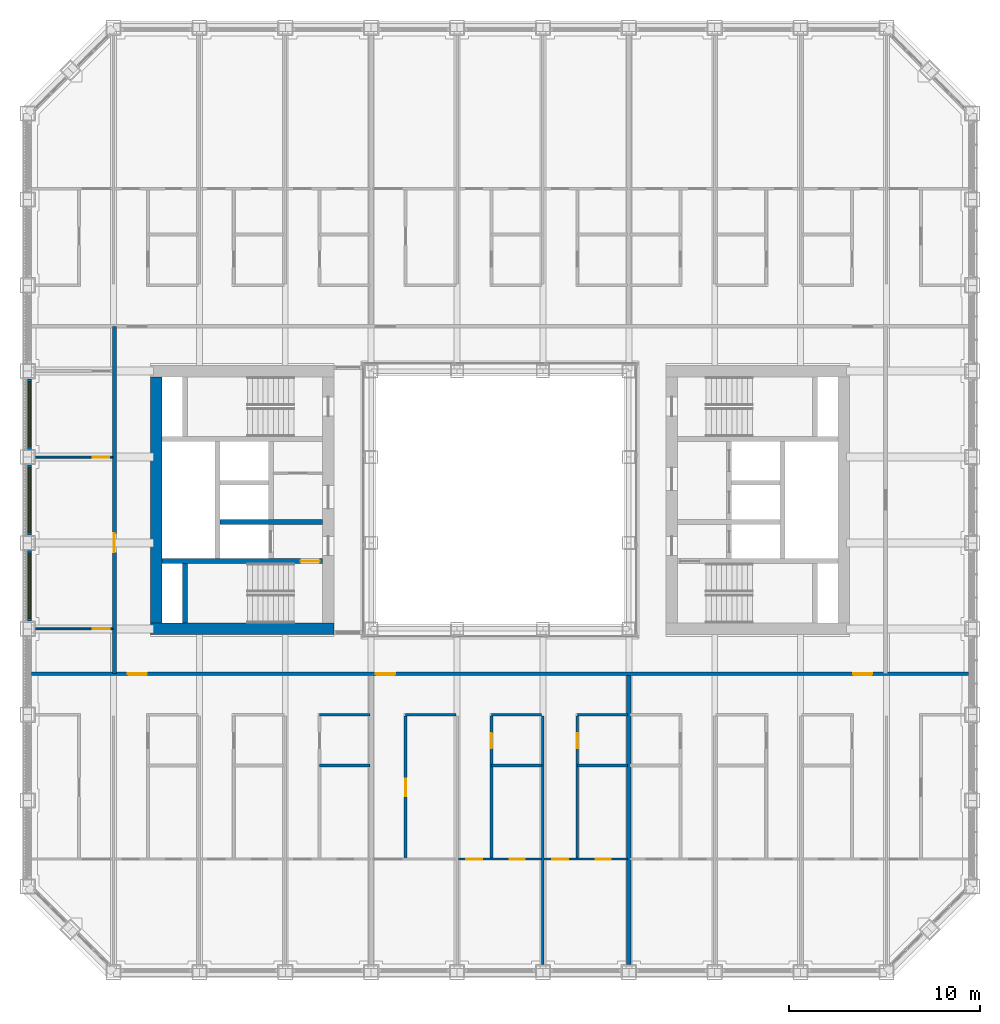
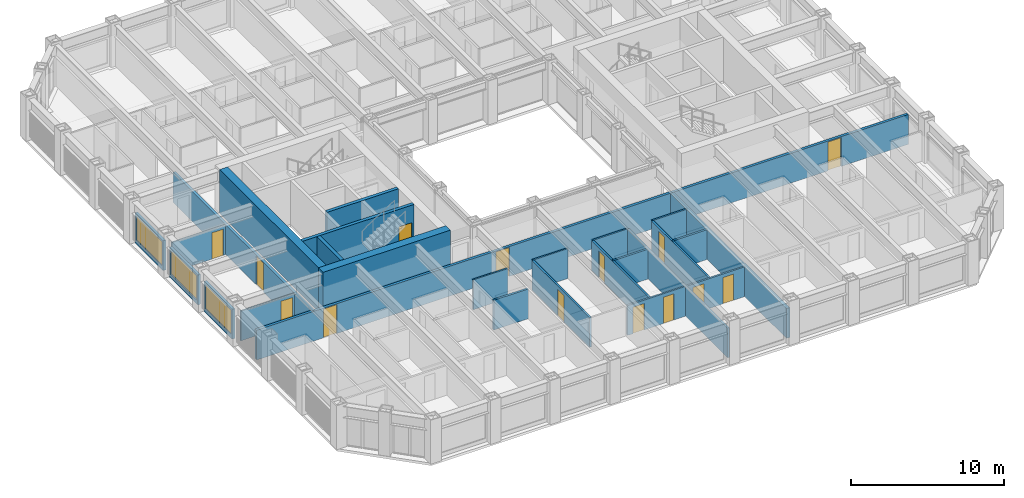
# One storey, part 10 of 21: 26 walls, 14 doors, 3 windows, 17 openings.
"""IFC4 building model written with IfcOpenShell, lengths in metres."""

from ifc_helpers import new_model, si_unit, direction, frame, frame_2d, origin, place, context, subcontext, project, spatial, rectangle, extrude, material, layer, layer_set, type_object, element, fill, save


model = new_model("IFC4")

# Units and contexts
model_context = context("Model", 3, precision=1e-05, world=origin(), true_north=direction((0.0, 1.0)))
body_context = subcontext(model_context, "Body", "Model", "MODEL_VIEW")
ifc_project = project(units=[si_unit("LENGTHUNIT", "METRE"), si_unit("AREAUNIT", "SQUARE_METRE"), si_unit("VOLUMEUNIT", "CUBIC_METRE"), si_unit("PLANEANGLEUNIT", "RADIAN"), si_unit("MASSUNIT", "GRAM", prefix="KILO")], contexts=[model_context])

# Site, building, storey
site_placement = place(None, origin())
site = spatial("IfcSite", under=ifc_project, at=site_placement, CompositionType="ELEMENT")
building_placement = place(site_placement, origin())
building = spatial("IfcBuilding", under=site, at=building_placement, Name="Msasa Ring Tower", CompositionType="ELEMENT")
storey_placement = place(building_placement, frame((0.0, 0.0, 93.0)))
storey = spatial("IfcBuildingStorey", under=building, at=storey_placement, Name="L24", CompositionType="ELEMENT", Elevation=93.0)

# Walls
ifc_material_1 = material(Name="Concrete C60/75", Category="concrete")
ifc_layer_1 = layer(ifc_material_1, 0.60009765625)
ifc_layer_set_1 = layer_set([ifc_layer_1], Name="CW1 CORE WALL 600")
wall_type_1 = type_object("IfcWallType", Name="CW1 CORE WALL 600", PredefinedType="SHEAR", material=ifc_layer_set_1)
wall_1_placement = place(storey_placement, frame((-8.699951171875, -6.75, 0.0), z_axis=(0.0, 0.0, 1.0), x_axis=(-1.0, 0.0, 0.0)))
element("IfcWall", 1, at=wall_1_placement, inside=storey, type_object=wall_type_1, Name="W core wall S L24", PredefinedType="SHEAR", context=body_context, shape_type="SweptSolid", body=[
    extrude(rectangle(XDim=9.60009765625, YDim=0.60009765625, at=frame_2d((4.800048828125, 0.0))), origin(), (0.0, 0.0, 1.0), 3.5),
])
wall_2_placement = place(storey_placement, frame((-18.0, -6.449951171875, 0.0), z_axis=(0.0, 0.0, 1.0), x_axis=(0.0, 1.0, 0.0)))
element("IfcWall", 2, at=wall_2_placement, inside=storey, type_object=wall_type_1, Name="W core wall E L24", PredefinedType="SHEAR", context=body_context, shape_type="SweptSolid", body=[
    extrude(rectangle(XDim=12.89990234375, YDim=0.60009765625, at=frame_2d((6.449951171875, 0.0))), origin(), (0.0, 0.0, 1.0), 3.5),
])

# Wall, opening, door
ifc_material_2 = material(Name="Concrete C60/75", Category="concrete")
ifc_layer_2 = layer(ifc_material_2, 0.25)
ifc_layer_set_2 = layer_set([ifc_layer_2], Name="CW4 CORE INNER WALL 250")
wall_type_2 = type_object("IfcWallType", Name="CW4 CORE INNER WALL 250", PredefinedType="SHEAR", material=ifc_layer_set_2)
wall_3_placement = place(storey_placement, frame((-9.300048828125, -3.199951171875, 0.0), z_axis=(0.0, 0.0, 1.0), x_axis=(-1.0, 0.0, 0.0)))
wall_3 = element("IfcWall", 3, at=wall_3_placement, inside=storey, type_object=wall_type_2, Name="W core wall STAIRA L24", PredefinedType="SHEAR", context=body_context, shape_type="SweptSolid", body=[
    extrude(rectangle(XDim=8.39990234375, YDim=0.25, at=frame_2d((4.199951171875, 0.0))), origin(), (0.0, 0.0, 1.0), 3.5),
])
opening_1_placement = place(wall_3_placement, frame((0.14990234375, 0.0, 0.0)))
opening_1 = element("IfcOpeningElement", 4, at=opening_1_placement, cuts=wall_3, Name="Opening RG-046", PredefinedType="OPENING", context=body_context, shape_type="SweptSolid", body=[
    extrude(rectangle(XDim=1.0, YDim=2.10009765625, at=frame_2d((0.5, 1.050048828125))), frame((0.0, 0.135009765625, 0.0), z_axis=(0.0, -1.0, 0.0), x_axis=(1.0, 0.0, 0.0)), (0.0, 0.0, 1.0), 0.27001953125),
])
ifc_material_3 = material(Name="Timber door leaf in a steel frame", Category="steel")
door_type_1 = type_object("IfcDoorType", Name="D6 STAIR DOOR 1000x2100", OperationType="SINGLE_SWING_LEFT", PredefinedType="DOOR", material=ifc_material_3)
door_1_placement = place(opening_1_placement, origin())
door_1 = element("IfcDoor", 5, at=door_1_placement, inside=storey, type_object=door_type_1, Name="Door L24-WSTA", OperationType="SINGLE_SWING_LEFT", OverallHeight=2.10009765625, OverallWidth=1.0, PredefinedType="DOOR", context=body_context, shape_type="SweptSolid", body=[
    extrude(rectangle(XDim=1.0, YDim=2.10009765625, at=frame_2d((0.5, 1.050048828125))), frame((0.0, 0.02490234375, 0.0), z_axis=(0.0, -1.0, 0.0), x_axis=(1.0, 0.0, 0.0)), (0.0, 0.0, 1.0), 0.050048828125),
])
fill(opening_1, door_1)

# Walls
wall_4_placement = place(storey_placement, frame((-16.5, -6.449951171875, 0.0), z_axis=(0.0, 0.0, 1.0), x_axis=(0.0, 1.0, 0.0)))
element("IfcWall", 6, at=wall_4_placement, inside=storey, type_object=wall_type_2, Name="W core wall RISERA L24", PredefinedType="SHEAR", context=body_context, shape_type="SweptSolid", body=[
    extrude(rectangle(XDim=3.125, YDim=0.25, at=frame_2d((1.5625, 0.0))), origin(), (0.0, 0.0, 1.0), 3.5),
])
wall_5_placement = place(storey_placement, frame((-9.300048828125, -1.14990234375, 0.0), z_axis=(0.0, 0.0, 1.0), x_axis=(-1.0, 0.0, 0.0)))
element("IfcWall", 7, at=wall_5_placement, inside=storey, type_object=wall_type_2, Name="W core wall FFL L24", PredefinedType="SHEAR", context=body_context, shape_type="SweptSolid", body=[
    extrude(rectangle(XDim=5.375, YDim=0.25, at=frame_2d((2.6875, 0.0))), origin(), (0.0, 0.0, 1.0), 3.5),
])

# Wall, opening, window
ifc_material_4 = material(Name="Terracotta rainscreen on blockwork", Category="masonry")
ifc_layer_3 = layer(ifc_material_4, 0.199951171875)
ifc_layer_set_3 = layer_set([ifc_layer_3], Name="FW1 TERRACOTTA-LINED INFILL BAY WALL 200")
wall_type_3 = type_object("IfcWallType", Name="FW1 TERRACOTTA-LINED INFILL BAY WALL 200", PredefinedType="SOLIDWALL", material=ifc_layer_set_3)
wall_6_placement = place(storey_placement, frame((-24.64990234375, -6.344970703125, 0.0), z_axis=(0.0, 0.0, 1.0), x_axis=(0.0, 1.0, 0.0)))
wall_6 = element("IfcWall", 8, at=wall_6_placement, inside=storey, type_object=wall_type_3, Name="Infill bay wall W L24 36", PredefinedType="SOLIDWALL", context=body_context, shape_type="SweptSolid", body=[
    extrude(rectangle(XDim=3.68994140625, YDim=0.199951171875, at=frame_2d((1.844970703125, 0.0))), origin(), (0.0, 0.0, 1.0), 2.37890625),
])
opening_2_placement = place(wall_6_placement, frame((0.14501953125, 0.0, 0.300048828125)))
opening_2 = element("IfcOpeningElement", 9, at=opening_2_placement, cuts=wall_6, Name="Opening WN1", PredefinedType="OPENING", context=body_context, shape_type="SweptSolid", body=[
    extrude(rectangle(XDim=3.39990234375, YDim=1.928955078125, at=frame_2d((1.699951171875, 0.96435546875))), frame((0.0, 0.10986328125, 0.0), z_axis=(0.0, -1.0, 0.0), x_axis=(1.0, 0.0, 0.0)), (0.0, 0.0, 1.0), 0.219970703125),
])
ifc_material_5 = material(Name="Aluminium frame with clear glass", Category="aluminium")
window_type = type_object("IfcWindowType", Name="WN1 RESIDENCE WINDOW 3400x1929", PartitioningType="SINGLE_PANEL", PredefinedType="WINDOW", material=ifc_material_5)
window_1_placement = place(opening_2_placement, origin())
window_1 = element("IfcWindow", 10, at=window_1_placement, inside=storey, type_object=window_type, Name="Window W L24 36", OverallHeight=1.928955078125, OverallWidth=3.39990234375, PartitioningType="SINGLE_PANEL", PredefinedType="WINDOW", context=body_context, shape_type="SweptSolid", body=[
    extrude(rectangle(XDim=3.39990234375, YDim=1.928955078125, at=frame_2d((1.699951171875, 0.96435546875))), frame((0.0, 0.030029296875, 0.0), z_axis=(0.0, -1.0, 0.0), x_axis=(1.0, 0.0, 0.0)), (0.0, 0.0, 1.0), 0.06005859375),
])
fill(opening_2, window_1)

wall_7_placement = place(storey_placement, frame((-24.64990234375, -1.844970703125, 0.0), z_axis=(0.0, 0.0, 1.0), x_axis=(0.0, 1.0, 0.0)))
wall_7 = element("IfcWall", 11, at=wall_7_placement, inside=storey, type_object=wall_type_3, Name="Infill bay wall W L24 37", PredefinedType="SOLIDWALL", context=body_context, shape_type="SweptSolid", body=[
    extrude(rectangle(XDim=3.68994140625, YDim=0.199951171875, at=frame_2d((1.844970703125, 0.0))), origin(), (0.0, 0.0, 1.0), 2.37890625),
])
opening_3_placement = place(wall_7_placement, frame((0.14501953125, 0.0, 0.300048828125)))
opening_3 = element("IfcOpeningElement", 12, at=opening_3_placement, cuts=wall_7, Name="Opening WN1", PredefinedType="OPENING", context=body_context, shape_type="SweptSolid", body=[
    extrude(rectangle(XDim=3.39990234375, YDim=1.928955078125, at=frame_2d((1.699951171875, 0.96435546875))), frame((0.0, 0.10986328125, 0.0), z_axis=(0.0, -1.0, 0.0), x_axis=(1.0, 0.0, 0.0)), (0.0, 0.0, 1.0), 0.219970703125),
])
window_2_placement = place(opening_3_placement, origin())
window_2 = element("IfcWindow", 13, at=window_2_placement, inside=storey, type_object=window_type, Name="Window W L24 37", OverallHeight=1.928955078125, OverallWidth=3.39990234375, PartitioningType="SINGLE_PANEL", PredefinedType="WINDOW", context=body_context, shape_type="SweptSolid", body=[
    extrude(rectangle(XDim=3.39990234375, YDim=1.928955078125, at=frame_2d((1.699951171875, 0.96435546875))), frame((0.0, 0.030029296875, 0.0), z_axis=(0.0, -1.0, 0.0), x_axis=(1.0, 0.0, 0.0)), (0.0, 0.0, 1.0), 0.06005859375),
])
fill(opening_3, window_2)

wall_8_placement = place(storey_placement, frame((-24.64990234375, 2.655029296875, 0.0), z_axis=(0.0, 0.0, 1.0), x_axis=(0.0, 1.0, 0.0)))
wall_8 = element("IfcWall", 14, at=wall_8_placement, inside=storey, type_object=wall_type_3, Name="Infill bay wall W L24 38", PredefinedType="SOLIDWALL", context=body_context, shape_type="SweptSolid", body=[
    extrude(rectangle(XDim=3.68994140625, YDim=0.199951171875, at=frame_2d((1.844970703125, 0.0))), origin(), (0.0, 0.0, 1.0), 2.37890625),
])
opening_4_placement = place(wall_8_placement, frame((0.14501953125, 0.0, 0.300048828125)))
opening_4 = element("IfcOpeningElement", 15, at=opening_4_placement, cuts=wall_8, Name="Opening WN1", PredefinedType="OPENING", context=body_context, shape_type="SweptSolid", body=[
    extrude(rectangle(XDim=3.39990234375, YDim=1.928955078125, at=frame_2d((1.699951171875, 0.96435546875))), frame((0.0, 0.10986328125, 0.0), z_axis=(0.0, -1.0, 0.0), x_axis=(1.0, 0.0, 0.0)), (0.0, 0.0, 1.0), 0.219970703125),
])
window_3_placement = place(opening_4_placement, origin())
window_3 = element("IfcWindow", 16, at=window_3_placement, inside=storey, type_object=window_type, Name="Window W L24 38", OverallHeight=1.928955078125, OverallWidth=3.39990234375, PartitioningType="SINGLE_PANEL", PredefinedType="WINDOW", context=body_context, shape_type="SweptSolid", body=[
    extrude(rectangle(XDim=3.39990234375, YDim=1.928955078125, at=frame_2d((1.699951171875, 0.96435546875))), frame((0.0, 0.030029296875, 0.0), z_axis=(0.0, -1.0, 0.0), x_axis=(1.0, 0.0, 0.0)), (0.0, 0.0, 1.0), 0.06005859375),
])
fill(opening_4, window_3)

# Wall, openings, doors
ifc_material_6 = material(Name="Concrete blockwork", Category="masonry")
ifc_layer_4 = layer(ifc_material_6, 0.199951171875)
ifc_layer_set_4 = layer_set([ifc_layer_4], Name="PT1 CORRIDOR WALL 200")
wall_type_4 = type_object("IfcWallType", Name="PT1 CORRIDOR WALL 200", PredefinedType="PARTITIONING", material=ifc_layer_set_4)
wall_9_placement = place(storey_placement, frame((-24.550048828125, -9.10009765625, 0.0), z_axis=(0.0, 0.0, 1.0), x_axis=(1.0, 0.0, 0.0)))
wall_9 = element("IfcWall", 17, at=wall_9_placement, inside=storey, type_object=wall_type_4, Name="Corridor wall L24-CORRS0", PredefinedType="PARTITIONING", context=body_context, shape_type="SweptSolid", body=[
    extrude(rectangle(XDim=49.10009765625, YDim=0.199951171875, at=frame_2d((24.550048828125, 0.0))), origin(), (0.0, 0.0, 1.0), 2.373291015625),
])
opening_5_placement = place(wall_9_placement, frame((5.050048828125, 0.0, 0.0)))
opening_5 = element("IfcOpeningElement", 18, at=opening_5_placement, cuts=wall_9, Name="Opening RG-050", PredefinedType="OPENING", context=body_context, shape_type="SweptSolid", body=[
    extrude(rectangle(XDim=1.0, YDim=2.300048828125, at=frame_2d((0.5, 1.14990234375))), frame((0.0, 0.10986328125, 0.0), z_axis=(0.0, -1.0, 0.0), x_axis=(1.0, 0.0, 0.0)), (0.0, 0.0, 1.0), 0.219970703125),
])
opening_6_placement = place(wall_9_placement, frame((18.050048828125, 0.0, 0.0)))
opening_6 = element("IfcOpeningElement", 19, at=opening_6_placement, cuts=wall_9, Name="Opening RG-051", PredefinedType="OPENING", context=body_context, shape_type="SweptSolid", body=[
    extrude(rectangle(XDim=1.0, YDim=2.300048828125, at=frame_2d((0.5, 1.14990234375))), frame((0.0, 0.10986328125, 0.0), z_axis=(0.0, -1.0, 0.0), x_axis=(1.0, 0.0, 0.0)), (0.0, 0.0, 1.0), 0.219970703125),
])
opening_7_placement = place(wall_9_placement, frame((43.050048828125, 0.0, 0.0)))
opening_7 = element("IfcOpeningElement", 20, at=opening_7_placement, cuts=wall_9, Name="Opening RG-052", PredefinedType="OPENING", context=body_context, shape_type="SweptSolid", body=[
    extrude(rectangle(XDim=1.0, YDim=2.300048828125, at=frame_2d((0.5, 1.14990234375))), frame((0.0, 0.10986328125, 0.0), z_axis=(0.0, -1.0, 0.0), x_axis=(1.0, 0.0, 0.0)), (0.0, 0.0, 1.0), 0.219970703125),
])
ifc_material_7 = material(Name="Timber door leaf in a steel frame", Category="steel")
door_type_2 = type_object("IfcDoorType", Name="D16 UPPER RESIDENCE ENTRANCE DOOR 1000x2300", OperationType="SINGLE_SWING_LEFT", PredefinedType="DOOR", material=ifc_material_7)
door_2_placement = place(opening_5_placement, origin())
door_2 = element("IfcDoor", 21, at=door_2_placement, inside=storey, type_object=door_type_2, Name="Door L24-US00", OperationType="SINGLE_SWING_LEFT", OverallHeight=2.300048828125, OverallWidth=1.0, PredefinedType="DOOR", context=body_context, shape_type="SweptSolid", body=[
    extrude(rectangle(XDim=1.0, YDim=2.300048828125, at=frame_2d((0.5, 1.14990234375))), frame((0.0, 0.02490234375, 0.0), z_axis=(0.0, -1.0, 0.0), x_axis=(1.0, 0.0, 0.0)), (0.0, 0.0, 1.0), 0.050048828125),
])
fill(opening_5, door_2)
door_3_placement = place(opening_6_placement, origin())
door_3 = element("IfcDoor", 22, at=door_3_placement, inside=storey, type_object=door_type_2, Name="Door L24-US01", OperationType="SINGLE_SWING_LEFT", OverallHeight=2.300048828125, OverallWidth=1.0, PredefinedType="DOOR", context=body_context, shape_type="SweptSolid", body=[
    extrude(rectangle(XDim=1.0, YDim=2.300048828125, at=frame_2d((0.5, 1.14990234375))), frame((0.0, 0.02490234375, 0.0), z_axis=(0.0, -1.0, 0.0), x_axis=(1.0, 0.0, 0.0)), (0.0, 0.0, 1.0), 0.050048828125),
])
fill(opening_6, door_3)
door_4_placement = place(opening_7_placement, origin())
door_4 = element("IfcDoor", 23, at=door_4_placement, inside=storey, type_object=door_type_2, Name="Door L24-US02", OperationType="SINGLE_SWING_RIGHT", OverallHeight=2.300048828125, OverallWidth=1.0, PredefinedType="DOOR", context=body_context, shape_type="SweptSolid", body=[
    extrude(rectangle(XDim=1.0, YDim=2.300048828125, at=frame_2d((0.5, 1.14990234375))), frame((0.0, 0.02490234375, 0.0), z_axis=(0.0, -1.0, 0.0), x_axis=(1.0, 0.0, 0.0)), (0.0, 0.0, 1.0), 0.050048828125),
])
fill(opening_7, door_4)

# Wall, opening, door
wall_10_placement = place(storey_placement, frame((-20.199951171875, -9.10009765625, 0.0), z_axis=(0.0, 0.0, 1.0), x_axis=(0.0, 1.0, 0.0)))
wall_10 = element("IfcWall", 24, at=wall_10_placement, inside=storey, type_object=wall_type_4, Name="Corridor wall L24-STRW", PredefinedType="PARTITIONING", context=body_context, shape_type="SweptSolid", body=[
    extrude(rectangle(XDim=18.2001953125, YDim=0.199951171875, at=frame_2d((9.10009765625, 0.0))), origin(), (0.0, 0.0, 1.0), 2.373291015625),
])
opening_8_placement = place(wall_10_placement, frame((6.35009765625, 0.0, 0.0)))
opening_8 = element("IfcOpeningElement", 25, at=opening_8_placement, cuts=wall_10, Name="Opening RG-043", PredefinedType="OPENING", context=body_context, shape_type="SweptSolid", body=[
    extrude(rectangle(XDim=1.0, YDim=2.300048828125, at=frame_2d((0.5, 1.14990234375))), frame((0.0, 0.10986328125, 0.0), z_axis=(0.0, -1.0, 0.0), x_axis=(1.0, 0.0, 0.0)), (0.0, 0.0, 1.0), 0.219970703125),
])
door_5_placement = place(opening_8_placement, origin())
door_5 = element("IfcDoor", 26, at=door_5_placement, inside=storey, type_object=door_type_2, Name="Door L24-STW", OperationType="SINGLE_SWING_LEFT", OverallHeight=2.300048828125, OverallWidth=1.0, PredefinedType="DOOR", context=body_context, shape_type="SweptSolid", body=[
    extrude(rectangle(XDim=1.0, YDim=2.300048828125, at=frame_2d((0.5, 1.14990234375))), frame((0.0, 0.02490234375, 0.0), z_axis=(0.0, -1.0, 0.0), x_axis=(1.0, 0.0, 0.0)), (0.0, 0.0, 1.0), 0.050048828125),
])
fill(opening_8, door_5)

ifc_material_8 = material(Name="Gypsum board on steel studs", Category="steel")
ifc_layer_5 = layer(ifc_material_8, 0.10009765625)
ifc_layer_set_5 = layer_set([ifc_layer_5], Name="PT2 STUD PARTITION 100")
wall_type_5 = type_object("IfcWallType", Name="PT2 STUD PARTITION 100", PredefinedType="PARTITIONING", material=ifc_layer_set_5)
wall_11_placement = place(storey_placement, frame((-24.35009765625, -6.75, 0.0), z_axis=(0.0, 0.0, 1.0), x_axis=(1.0, 0.0, 0.0)))
wall_11 = element("IfcWall", 27, at=wall_11_placement, inside=storey, type_object=wall_type_5, Name="Partition L24-STWKY", PredefinedType="PARTITIONING", context=body_context, shape_type="SweptSolid", body=[
    extrude(rectangle(XDim=4.050048828125, YDim=0.10009765625, at=frame_2d((2.02490234375, 0.0))), origin(), (0.0, 0.0, 1.0), 2.373291015625),
])
opening_9_placement = place(wall_11_placement, frame((3.0, 0.0, 0.0)))
opening_9 = element("IfcOpeningElement", 28, at=opening_9_placement, cuts=wall_11, Name="Opening RG-048", PredefinedType="OPENING", context=body_context, shape_type="SweptSolid", body=[
    extrude(rectangle(XDim=0.89990234375, YDim=2.10009765625, at=frame_2d((0.449951171875, 1.050048828125))), frame((0.0, 0.06005859375, 0.0), z_axis=(0.0, -1.0, 0.0), x_axis=(1.0, 0.0, 0.0)), (0.0, 0.0, 1.0), 0.1201171875),
])
ifc_material_9 = material(Name="Timber door leaf in a steel frame", Category="steel")
door_type_3 = type_object("IfcDoorType", Name="D22 INTERNAL HALL DOOR 900x2100", OperationType="SINGLE_SWING_LEFT", PredefinedType="DOOR", material=ifc_material_9)
door_6_placement = place(opening_9_placement, origin())
door_6 = element("IfcDoor", 29, at=door_6_placement, inside=storey, type_object=door_type_3, Name="Door L24-STWK", OperationType="SINGLE_SWING_RIGHT", OverallHeight=2.10009765625, OverallWidth=0.89990234375, PredefinedType="DOOR", context=body_context, shape_type="SweptSolid", body=[
    extrude(rectangle(XDim=0.89990234375, YDim=2.10009765625, at=frame_2d((0.449951171875, 1.050048828125))), frame((0.0, 0.02490234375, 0.0), z_axis=(0.0, -1.0, 0.0), x_axis=(1.0, 0.0, 0.0)), (0.0, 0.0, 1.0), 0.050048828125),
])
fill(opening_9, door_6)

wall_12_placement = place(storey_placement, frame((-24.35009765625, 2.25, 0.0), z_axis=(0.0, 0.0, 1.0), x_axis=(1.0, 0.0, 0.0)))
wall_12 = element("IfcWall", 30, at=wall_12_placement, inside=storey, type_object=wall_type_5, Name="Partition L24-STWRY", PredefinedType="PARTITIONING", context=body_context, shape_type="SweptSolid", body=[
    extrude(rectangle(XDim=4.050048828125, YDim=0.10009765625, at=frame_2d((2.02490234375, 0.0))), origin(), (0.0, 0.0, 1.0), 2.373291015625),
])
opening_10_placement = place(wall_12_placement, frame((3.02490234375, 0.0, 0.0)))
opening_10 = element("IfcOpeningElement", 31, at=opening_10_placement, cuts=wall_12, Name="Opening RG-038", PredefinedType="OPENING", context=body_context, shape_type="SweptSolid", body=[
    extrude(rectangle(XDim=0.85009765625, YDim=2.10009765625, at=frame_2d((0.425048828125, 1.050048828125))), frame((0.0, 0.06005859375, 0.0), z_axis=(0.0, -1.0, 0.0), x_axis=(1.0, 0.0, 0.0)), (0.0, 0.0, 1.0), 0.1201171875),
])
ifc_material_10 = material(Name="Timber door leaf in a steel frame", Category="steel")
door_type_4 = type_object("IfcDoorType", Name="D14 BEDROOM DOOR 850x2100", OperationType="SINGLE_SWING_LEFT", PredefinedType="DOOR", material=ifc_material_10)
door_7_placement = place(opening_10_placement, origin())
door_7 = element("IfcDoor", 32, at=door_7_placement, inside=storey, type_object=door_type_4, Name="Door L24-STWR", OperationType="SINGLE_SWING_RIGHT", OverallHeight=2.10009765625, OverallWidth=0.85009765625, PredefinedType="DOOR", context=body_context, shape_type="SweptSolid", body=[
    extrude(rectangle(XDim=0.85009765625, YDim=2.10009765625, at=frame_2d((0.425048828125, 1.050048828125))), frame((0.0, 0.02490234375, 0.0), z_axis=(0.0, -1.0, 0.0), x_axis=(1.0, 0.0, 0.0)), (0.0, 0.0, 1.0), 0.050048828125),
])
fill(opening_10, door_7)

# Walls
ifc_material_11 = material(Name="Dense concrete blockwork, plastered both faces", Category="masonry")
ifc_layer_6 = layer(ifc_material_11, 0.25)
ifc_layer_set_6 = layer_set([ifc_layer_6], Name="PT3 APARTMENT SEPARATING WALL 250")
wall_type_6 = type_object("IfcWallType", Name="PT3 APARTMENT SEPARATING WALL 250", PredefinedType="PARTITIONING", material=ifc_layer_set_6)
wall_13_placement = place(storey_placement, frame((6.75, -24.35009765625, 0.0), z_axis=(0.0, 0.0, 1.0), x_axis=(0.0, 1.0, 0.0)))
element("IfcWall", 33, at=wall_13_placement, inside=storey, type_object=wall_type_6, Name="Party wall L24-PWS+6.75", PredefinedType="PARTITIONING", context=body_context, shape_type="SweptSolid", body=[
    extrude(rectangle(XDim=15.150146484375, YDim=0.25, at=frame_2d((7.5751953125, 0.0))), origin(), (0.0, 0.0, 1.0), 2.373291015625),
])
ifc_material_12 = material(Name="Moisture-resistant board on steel studs with a concealed cistern and pipe void, tiled", Category="steel")
ifc_layer_7 = layer(ifc_material_12, 0.14990234375)
ifc_layer_set_7 = layer_set([ifc_layer_7], Name="PT4 BATHROOM WET WALL 150")
wall_type_7 = type_object("IfcWallType", Name="PT4 BATHROOM WET WALL 150", PredefinedType="PARTITIONING", material=ifc_layer_set_7)
wall_14_placement = place(storey_placement, frame((-9.449951171875, -13.91259765625, 0.0), z_axis=(0.0, 0.0, 1.0), x_axis=(1.0, 0.0, 0.0)))
element("IfcWall", 34, at=wall_14_placement, inside=storey, type_object=wall_type_7, Name="Partition L24-US00SB3", PredefinedType="PARTITIONING", context=body_context, shape_type="SweptSolid", body=[
    extrude(rectangle(XDim=2.632568359375, YDim=0.14990234375, at=frame_2d((1.31640625, 0.0))), origin(), (0.0, 0.0, 1.0), 2.373291015625),
])

# Wall, opening, door
wall_15_placement = place(storey_placement, frame((-4.949951171875, -18.8125, 0.0), z_axis=(0.0, 0.0, 1.0), x_axis=(0.0, 1.0, 0.0)))
wall_15 = element("IfcWall", 35, at=wall_15_placement, inside=storey, type_object=wall_type_7, Name="Partition L24-US01SX0", PredefinedType="PARTITIONING", context=body_context, shape_type="SweptSolid", body=[
    extrude(rectangle(XDim=7.5, YDim=0.14990234375, at=frame_2d((3.75, 0.0))), origin(), (0.0, 0.0, 1.0), 2.373291015625),
])
opening_11_placement = place(wall_15_placement, frame((3.300048828125, 0.0, 0.0)))
opening_11 = element("IfcOpeningElement", 36, at=opening_11_placement, cuts=wall_15, Name="Opening RG-062", PredefinedType="OPENING", context=body_context, shape_type="SweptSolid", body=[
    extrude(rectangle(XDim=0.89990234375, YDim=2.10009765625, at=frame_2d((0.449951171875, 1.050048828125))), frame((0.0, 0.0849609375, 0.0), z_axis=(0.0, -1.0, 0.0), x_axis=(1.0, 0.0, 0.0)), (0.0, 0.0, 1.0), 0.169921875),
])
door_8_placement = place(opening_11_placement, origin())
door_8 = element("IfcDoor", 37, at=door_8_placement, inside=storey, type_object=door_type_3, Name="Door L24-US01K", OperationType="SINGLE_SWING_LEFT", OverallHeight=2.10009765625, OverallWidth=0.89990234375, PredefinedType="DOOR", context=body_context, shape_type="SweptSolid", body=[
    extrude(rectangle(XDim=0.89990234375, YDim=2.10009765625, at=frame_2d((0.449951171875, 1.050048828125))), frame((0.0, 0.02490234375, 0.0), z_axis=(0.0, -1.0, 0.0), x_axis=(1.0, 0.0, 0.0)), (0.0, 0.0, 1.0), 0.050048828125),
])
fill(opening_11, door_8)

wall_16_placement = place(storey_placement, frame((-0.449951171875, -18.8125, 0.0), z_axis=(0.0, 0.0, 1.0), x_axis=(0.0, 1.0, 0.0)))
wall_16 = element("IfcWall", 38, at=wall_16_placement, inside=storey, type_object=wall_type_7, Name="Partition L24-US01SX1", PredefinedType="PARTITIONING", context=body_context, shape_type="SweptSolid", body=[
    extrude(rectangle(XDim=7.5, YDim=0.14990234375, at=frame_2d((3.75, 0.0))), origin(), (0.0, 0.0, 1.0), 2.373291015625),
])
opening_12_placement = place(wall_16_placement, frame((5.800048828125, 0.0, 0.0)))
opening_12 = element("IfcOpeningElement", 39, at=opening_12_placement, cuts=wall_16, Name="Opening RG-056", PredefinedType="OPENING", context=body_context, shape_type="SweptSolid", body=[
    extrude(rectangle(XDim=0.800048828125, YDim=2.10009765625, at=frame_2d((0.39990234375, 1.050048828125))), frame((0.0, 0.0849609375, 0.0), z_axis=(0.0, -1.0, 0.0), x_axis=(1.0, 0.0, 0.0)), (0.0, 0.0, 1.0), 0.169921875),
])
ifc_material_13 = material(Name="Timber door leaf in a steel frame", Category="steel")
door_type_5 = type_object("IfcDoorType", Name="D21 POCKET SLIDING BATHROOM DOOR 800x2100", OperationType="SINGLE_SWING_LEFT", PredefinedType="DOOR", material=ifc_material_13)
door_9_placement = place(opening_12_placement, origin())
door_9 = element("IfcDoor", 40, at=door_9_placement, inside=storey, type_object=door_type_5, Name="Door L24-US01B1", OperationType="SINGLE_SWING_RIGHT", OverallHeight=2.10009765625, OverallWidth=0.800048828125, PredefinedType="DOOR", context=body_context, shape_type="SweptSolid", body=[
    extrude(rectangle(XDim=0.800048828125, YDim=2.10009765625, at=frame_2d((0.39990234375, 1.050048828125))), frame((0.0, 0.02490234375, 0.0), z_axis=(0.0, -1.0, 0.0), x_axis=(1.0, 0.0, 0.0)), (0.0, 0.0, 1.0), 0.050048828125),
])
fill(opening_12, door_9)

# Wall
wall_17_placement = place(storey_placement, frame((-0.449951171875, -13.91259765625, 0.0), z_axis=(0.0, 0.0, 1.0), x_axis=(1.0, 0.0, 0.0)))
element("IfcWall", 41, at=wall_17_placement, inside=storey, type_object=wall_type_7, Name="Partition L24-US01SB1", PredefinedType="PARTITIONING", context=body_context, shape_type="SweptSolid", body=[
    extrude(rectangle(XDim=2.637451171875, YDim=0.14990234375, at=frame_2d((1.31884765625, 0.0))), origin(), (0.0, 0.0, 1.0), 2.373291015625),
])

# Wall, opening, door
wall_18_placement = place(storey_placement, frame((4.050048828125, -18.8125, 0.0), z_axis=(0.0, 0.0, 1.0), x_axis=(0.0, 1.0, 0.0)))
wall_18 = element("IfcWall", 42, at=wall_18_placement, inside=storey, type_object=wall_type_7, Name="Partition L24-US01SX2", PredefinedType="PARTITIONING", context=body_context, shape_type="SweptSolid", body=[
    extrude(rectangle(XDim=7.5, YDim=0.14990234375, at=frame_2d((3.75, 0.0))), origin(), (0.0, 0.0, 1.0), 2.373291015625),
])
opening_13_placement = place(wall_18_placement, frame((5.800048828125, 0.0, 0.0)))
opening_13 = element("IfcOpeningElement", 43, at=opening_13_placement, cuts=wall_18, Name="Opening RG-057", PredefinedType="OPENING", context=body_context, shape_type="SweptSolid", body=[
    extrude(rectangle(XDim=0.800048828125, YDim=2.10009765625, at=frame_2d((0.39990234375, 1.050048828125))), frame((0.0, 0.0849609375, 0.0), z_axis=(0.0, -1.0, 0.0), x_axis=(1.0, 0.0, 0.0)), (0.0, 0.0, 1.0), 0.169921875),
])
door_10_placement = place(opening_13_placement, origin())
door_10 = element("IfcDoor", 44, at=door_10_placement, inside=storey, type_object=door_type_5, Name="Door L24-US01B2", OperationType="SINGLE_SWING_RIGHT", OverallHeight=2.10009765625, OverallWidth=0.800048828125, PredefinedType="DOOR", context=body_context, shape_type="SweptSolid", body=[
    extrude(rectangle(XDim=0.800048828125, YDim=2.10009765625, at=frame_2d((0.39990234375, 1.050048828125))), frame((0.0, 0.02490234375, 0.0), z_axis=(0.0, -1.0, 0.0), x_axis=(1.0, 0.0, 0.0)), (0.0, 0.0, 1.0), 0.050048828125),
])
fill(opening_13, door_10)

# Walls
wall_19_placement = place(storey_placement, frame((4.050048828125, -13.91259765625, 0.0), z_axis=(0.0, 0.0, 1.0), x_axis=(1.0, 0.0, 0.0)))
element("IfcWall", 45, at=wall_19_placement, inside=storey, type_object=wall_type_7, Name="Partition L24-US01SB2", PredefinedType="PARTITIONING", context=body_context, shape_type="SweptSolid", body=[
    extrude(rectangle(XDim=2.632568359375, YDim=0.14990234375, at=frame_2d((1.31640625, 0.0))), origin(), (0.0, 0.0, 1.0), 2.373291015625),
])
ifc_material_14 = material(Name="Two layers of acoustic board each face on steel studs, mineral wool", Category="steel")
ifc_layer_8 = layer(ifc_material_14, 0.125)
ifc_layer_set_8 = layer_set([ifc_layer_8], Name="PT6 ACOUSTIC DOUBLE-BOARD PARTITION 125")
wall_type_8 = type_object("IfcWallType", Name="PT6 ACOUSTIC DOUBLE-BOARD PARTITION 125", PredefinedType="PARTITIONING", material=ifc_layer_set_8)
for number, where, z_axis, x_axis, name in (
    (46, (-9.449951171875, -11.25, 0.0), (0.0, 0.0, 1.0), (1.0, 0.0, 0.0), "Partition L24-US00HY3"),
    (47, (-4.949951171875, -11.25, 0.0), (0.0, 0.0, 1.0), (1.0, 0.0, 0.0), "Partition L24-US01HY0"),
    (48, (-0.449951171875, -11.25, 0.0), (0.0, 0.0, 1.0), (1.0, 0.0, 0.0), "Partition L24-US01HY1"),
):
    element("IfcWall", number, at=place(storey_placement, frame(where, z_axis=z_axis, x_axis=x_axis)), inside=storey, type_object=wall_type_8, Name=name, PredefinedType="PARTITIONING", context=body_context, shape_type="SweptSolid", body=[
        extrude(rectangle(XDim=2.632568359375, YDim=0.125, at=frame_2d((1.31640625, 0.0))), origin(), (0.0, 0.0, 1.0), 2.373291015625),
    ])

# Wall, openings, doors
wall_20_placement = place(storey_placement, frame((-2.1875, -18.8125, 0.0), z_axis=(0.0, 0.0, 1.0), x_axis=(1.0, 0.0, 0.0)))
wall_20 = element("IfcWall", 49, at=wall_20_placement, inside=storey, type_object=wall_type_8, Name="Partition L24-US01SY1", PredefinedType="PARTITIONING", context=body_context, shape_type="SweptSolid", body=[
    extrude(rectangle(XDim=4.375, YDim=0.125, at=frame_2d((2.1875, 0.0))), origin(), (0.0, 0.0, 1.0), 2.373291015625),
])
opening_14_placement = place(wall_20_placement, frame((0.41259765625, 0.0, 0.0)))
opening_14 = element("IfcOpeningElement", 50, at=opening_14_placement, cuts=wall_20, Name="Opening RG-072", PredefinedType="OPENING", context=body_context, shape_type="SweptSolid", body=[
    extrude(rectangle(XDim=0.85009765625, YDim=2.10009765625, at=frame_2d((0.425048828125, 1.050048828125))), frame((0.0, 0.072509765625, 0.0), z_axis=(0.0, -1.0, 0.0), x_axis=(1.0, 0.0, 0.0)), (0.0, 0.0, 1.0), 0.14501953125),
])
opening_15_placement = place(wall_20_placement, frame((2.69384765625, 0.0, 0.0)))
opening_15 = element("IfcOpeningElement", 51, at=opening_15_placement, cuts=wall_20, Name="Opening RG-073", PredefinedType="OPENING", context=body_context, shape_type="SweptSolid", body=[
    extrude(rectangle(XDim=0.800048828125, YDim=2.10009765625, at=frame_2d((0.39990234375, 1.050048828125))), frame((0.0, 0.072509765625, 0.0), z_axis=(0.0, -1.0, 0.0), x_axis=(1.0, 0.0, 0.0)), (0.0, 0.0, 1.0), 0.14501953125),
])
door_11_placement = place(opening_14_placement, origin())
door_11 = element("IfcDoor", 52, at=door_11_placement, inside=storey, type_object=door_type_4, Name="Door L24-US01R1", OperationType="SINGLE_SWING_LEFT", OverallHeight=2.10009765625, OverallWidth=0.85009765625, PredefinedType="DOOR", context=body_context, shape_type="SweptSolid", body=[
    extrude(rectangle(XDim=0.85009765625, YDim=2.10009765625, at=frame_2d((0.425048828125, 1.050048828125))), frame((0.0, 0.02490234375, 0.0), z_axis=(0.0, -1.0, 0.0), x_axis=(1.0, 0.0, 0.0)), (0.0, 0.0, 1.0), 0.050048828125),
])
fill(opening_14, door_11)
ifc_material_15 = material(Name="Timber door leaf in a steel frame", Category="steel")
door_type_6 = type_object("IfcDoorType", Name="D60 DRESSING ROOM DOOR 800x2100", OperationType="SINGLE_SWING_LEFT", PredefinedType="DOOR", material=ifc_material_15)
door_12_placement = place(opening_15_placement, origin())
door_12 = element("IfcDoor", 53, at=door_12_placement, inside=storey, type_object=door_type_6, Name="Door L24-US01W1", OperationType="SINGLE_SWING_RIGHT", OverallHeight=2.10009765625, OverallWidth=0.800048828125, PredefinedType="DOOR", context=body_context, shape_type="SweptSolid", body=[
    extrude(rectangle(XDim=0.800048828125, YDim=2.10009765625, at=frame_2d((0.39990234375, 1.050048828125))), frame((0.0, 0.02490234375, 0.0), z_axis=(0.0, -1.0, 0.0), x_axis=(1.0, 0.0, 0.0)), (0.0, 0.0, 1.0), 0.050048828125),
])
fill(opening_15, door_12)

# Walls
wall_21_placement = place(storey_placement, frame((2.25, -24.35009765625, 0.0), z_axis=(0.0, 0.0, 1.0), x_axis=(0.0, 1.0, 0.0)))
element("IfcWall", 54, at=wall_21_placement, inside=storey, type_object=wall_type_8, Name="Partition L24-US01P2", PredefinedType="PARTITIONING", context=body_context, shape_type="SweptSolid", body=[
    extrude(rectangle(XDim=13.03759765625, YDim=0.125, at=frame_2d((6.518798828125, 0.0))), origin(), (0.0, 0.0, 1.0), 2.373291015625),
])
wall_22_placement = place(storey_placement, frame((4.050048828125, -11.25, 0.0), z_axis=(0.0, 0.0, 1.0), x_axis=(1.0, 0.0, 0.0)))
element("IfcWall", 55, at=wall_22_placement, inside=storey, type_object=wall_type_8, Name="Partition L24-US01HY2", PredefinedType="PARTITIONING", context=body_context, shape_type="SweptSolid", body=[
    extrude(rectangle(XDim=2.632568359375, YDim=0.125, at=frame_2d((1.31640625, 0.0))), origin(), (0.0, 0.0, 1.0), 2.373291015625),
])

# Wall, openings, doors
wall_23_placement = place(storey_placement, frame((2.3125, -18.8125, 0.0), z_axis=(0.0, 0.0, 1.0), x_axis=(1.0, 0.0, 0.0)))
wall_23 = element("IfcWall", 56, at=wall_23_placement, inside=storey, type_object=wall_type_8, Name="Partition L24-US01SY2", PredefinedType="PARTITIONING", context=body_context, shape_type="SweptSolid", body=[
    extrude(rectangle(XDim=4.3701171875, YDim=0.125, at=frame_2d((2.18505859375, 0.0))), origin(), (0.0, 0.0, 1.0), 2.373291015625),
])
opening_16_placement = place(wall_23_placement, frame((0.41259765625, 0.0, 0.0)))
opening_16 = element("IfcOpeningElement", 57, at=opening_16_placement, cuts=wall_23, Name="Opening RG-074", PredefinedType="OPENING", context=body_context, shape_type="SweptSolid", body=[
    extrude(rectangle(XDim=0.85009765625, YDim=2.10009765625, at=frame_2d((0.425048828125, 1.050048828125))), frame((0.0, 0.072509765625, 0.0), z_axis=(0.0, -1.0, 0.0), x_axis=(1.0, 0.0, 0.0)), (0.0, 0.0, 1.0), 0.14501953125),
])
opening_17_placement = place(wall_23_placement, frame((2.693603515625, 0.0, 0.0)))
opening_17 = element("IfcOpeningElement", 58, at=opening_17_placement, cuts=wall_23, Name="Opening RG-075", PredefinedType="OPENING", context=body_context, shape_type="SweptSolid", body=[
    extrude(rectangle(XDim=0.800048828125, YDim=2.10009765625, at=frame_2d((0.39990234375, 1.050048828125))), frame((0.0, 0.072509765625, 0.0), z_axis=(0.0, -1.0, 0.0), x_axis=(1.0, 0.0, 0.0)), (0.0, 0.0, 1.0), 0.14501953125),
])
door_13_placement = place(opening_16_placement, origin())
door_13 = element("IfcDoor", 59, at=door_13_placement, inside=storey, type_object=door_type_4, Name="Door L24-US01R2", OperationType="SINGLE_SWING_LEFT", OverallHeight=2.10009765625, OverallWidth=0.85009765625, PredefinedType="DOOR", context=body_context, shape_type="SweptSolid", body=[
    extrude(rectangle(XDim=0.85009765625, YDim=2.10009765625, at=frame_2d((0.425048828125, 1.050048828125))), frame((0.0, 0.02490234375, 0.0), z_axis=(0.0, -1.0, 0.0), x_axis=(1.0, 0.0, 0.0)), (0.0, 0.0, 1.0), 0.050048828125),
])
fill(opening_16, door_13)
door_14_placement = place(opening_17_placement, origin())
door_14 = element("IfcDoor", 60, at=door_14_placement, inside=storey, type_object=door_type_6, Name="Door L24-US01W2", OperationType="SINGLE_SWING_RIGHT", OverallHeight=2.10009765625, OverallWidth=0.800048828125, PredefinedType="DOOR", context=body_context, shape_type="SweptSolid", body=[
    extrude(rectangle(XDim=0.800048828125, YDim=2.10009765625, at=frame_2d((0.39990234375, 1.050048828125))), frame((0.0, 0.02490234375, 0.0), z_axis=(0.0, -1.0, 0.0), x_axis=(1.0, 0.0, 0.0)), (0.0, 0.0, 1.0), 0.050048828125),
])
fill(opening_17, door_14)

save(model, "model.ifc")
